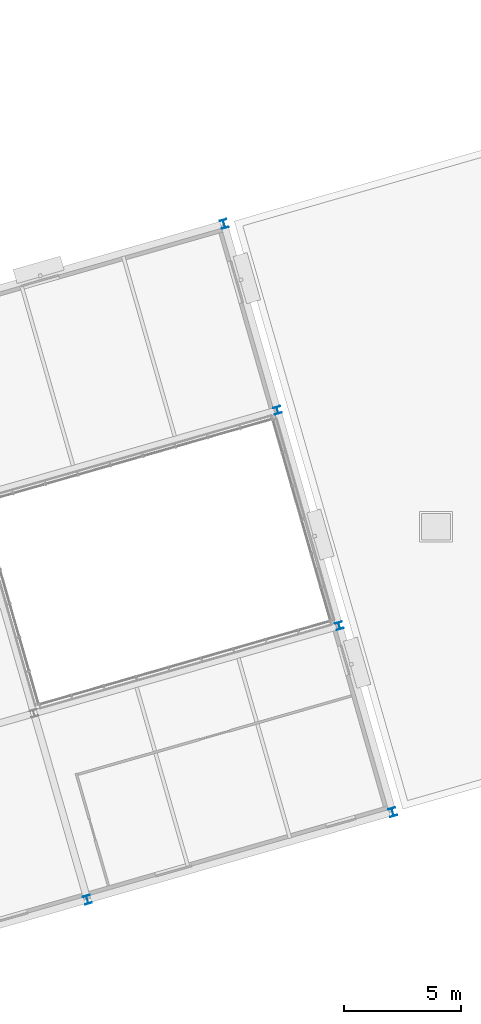
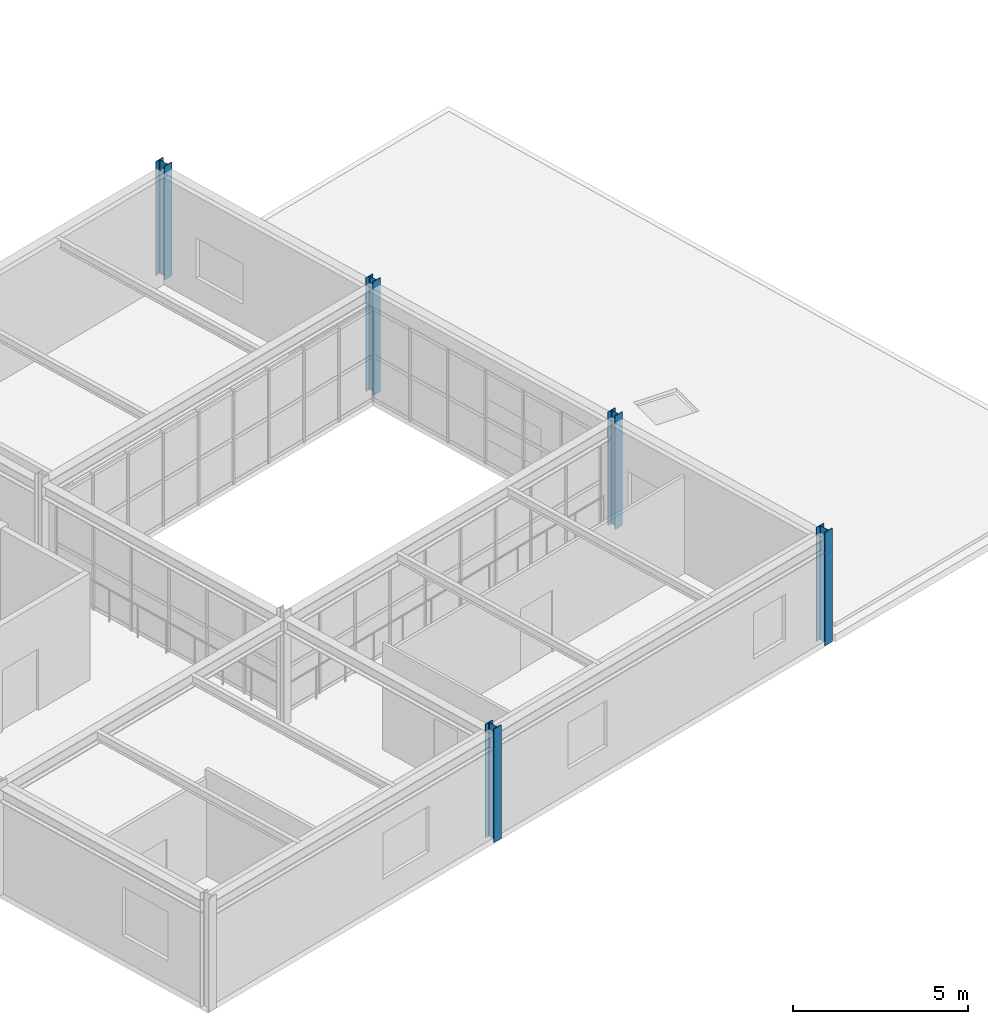
# One storey, part 9 of 44: 5 columns.
"""IFC4 building model written with IfcOpenShell, lengths in metres."""

from ifc_helpers import new_model, si_unit, direction, frame, origin, origin_2d, place, context, subcontext, project, spatial, i_section, extrude, material, material_profile, profile_set, type_object, element, save


model = new_model("IFC4")

# Units and contexts
model_context = context("Model", 3, precision=1e-05, world=origin(), true_north=direction((0.0, 1.0)))
body_context = subcontext(model_context, "Body", "Model", "MODEL_VIEW")
ifc_project = project(units=[si_unit("LENGTHUNIT", "METRE"), si_unit("AREAUNIT", "SQUARE_METRE"), si_unit("VOLUMEUNIT", "CUBIC_METRE"), si_unit("PLANEANGLEUNIT", "RADIAN"), si_unit("MASSUNIT", "GRAM", prefix="KILO")], contexts=[model_context])

# Site, building, storey
site_placement = place(None, origin())
site = spatial("IfcSite", under=ifc_project, at=site_placement, CompositionType="ELEMENT")
building_placement = place(site_placement, origin())
building = spatial("IfcBuilding", under=site, at=building_placement, Name="Varnklinge Art Gallery", CompositionType="ELEMENT")
storey_placement = place(building_placement, frame((0.0, 0.0, 13.679931640625)))
storey = spatial("IfcBuildingStorey", under=building, at=storey_placement, Name="L03", CompositionType="ELEMENT", Elevation=13.679931640625)

# Columns
ifc_material_1 = material(Name="Steel S355", Category="steel")
ifc_material_profile_1 = material_profile(ifc_material_1, i_section(OverallWidth=0.300048828125, OverallDepth=0.300048828125, WebThickness=0.010986328125, FlangeThickness=0.01904296875, FilletRadius=0.027099609375, at=origin_2d()), Name="HEB 300")
ifc_profile_set_1 = profile_set([ifc_material_profile_1], Name="Steel S355")
column_type_1 = type_object("IfcColumnType", Name="COL-10", PredefinedType="COLUMN", material=ifc_profile_set_1)
for number, where, z_axis, x_axis, name in (
    (1, (146.859619140625, 24.76025390625, 0.0), (0.0, 0.0, 1.0), (0.961261695938, 0.275637355817, 0.0), "L03 Column V6C-3-2"),
    (2, (144.21337890625, 33.98828125, 0.0), (0.0, 0.0, 1.0), (0.961261695938, 0.275637355817, 0.0), "L03 Column V6C-3-3"),
):
    element("IfcColumn", number, at=place(storey_placement, frame(where, z_axis=z_axis, x_axis=x_axis)), inside=storey, type_object=column_type_1, Name=name, PredefinedType="COLUMN", context=body_context, shape_type="SweptSolid", body=[
        extrude(i_section(OverallWidth=0.300048828125, OverallDepth=0.300048828125, WebThickness=0.010986328125, FlangeThickness=0.01904296875, FilletRadius=0.027099609375, at=origin_2d()), origin(), (0.0, 0.0, 1.0), 3.9599609375),
    ])
ifc_material_2 = material(Name="Steel S355", Category="steel")
ifc_material_profile_2 = material_profile(ifc_material_2, i_section(OverallWidth=0.300048828125, OverallDepth=0.360107421875, WebThickness=0.012451171875, FlangeThickness=0.0224609375, FilletRadius=0.027099609375, at=origin_2d()), Name="HEB 360")
ifc_profile_set_2 = profile_set([ifc_material_profile_2], Name="Steel S355")
column_type_2 = type_object("IfcColumnType", Name="COL-E4", PredefinedType="COLUMN", material=ifc_profile_set_2)
for number, where, z_axis, x_axis, name in (
    (3, (136.07421875, 13.033203125, 0.0), (0.0, 0.0, 1.0), (0.961261695938, 0.275637355817, 0.0), "L03 Column V6C-2-1"),
    (4, (149.1474609375, 16.78173828125, 0.0), (0.0, 0.0, 1.0), (0.961261695938, 0.275637355817, 0.0), "L03 Column V6C-3-1"),
    (5, (141.92578125, 41.966796875, 0.0), (0.0, 0.0, 1.0), (0.961261695938, 0.275637355817, 0.0), "L03 Column V6C-3-4"),
):
    element("IfcColumn", number, at=place(storey_placement, frame(where, z_axis=z_axis, x_axis=x_axis)), inside=storey, type_object=column_type_2, Name=name, PredefinedType="COLUMN", context=body_context, shape_type="SweptSolid", body=[
        extrude(i_section(OverallWidth=0.300048828125, OverallDepth=0.360107421875, WebThickness=0.012451171875, FlangeThickness=0.0224609375, FilletRadius=0.027099609375, at=origin_2d()), origin(), (0.0, 0.0, 1.0), 3.9599609375),
    ])

save(model, "model.ifc")
